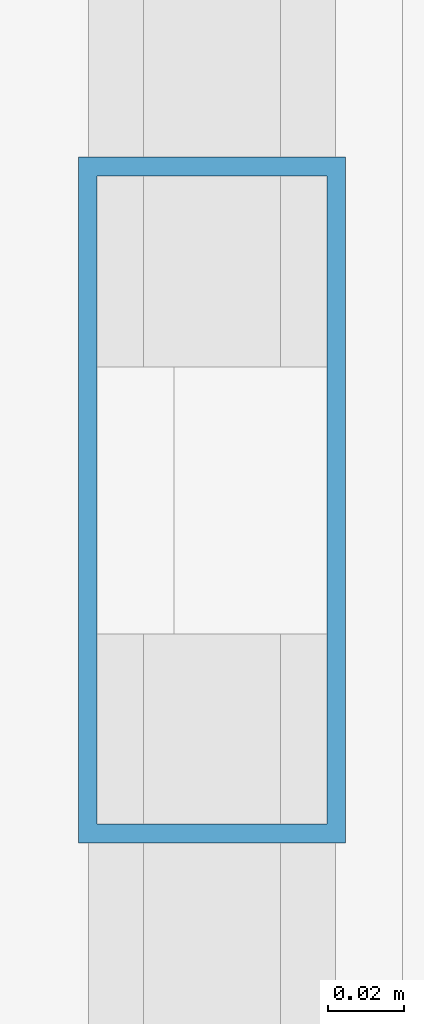
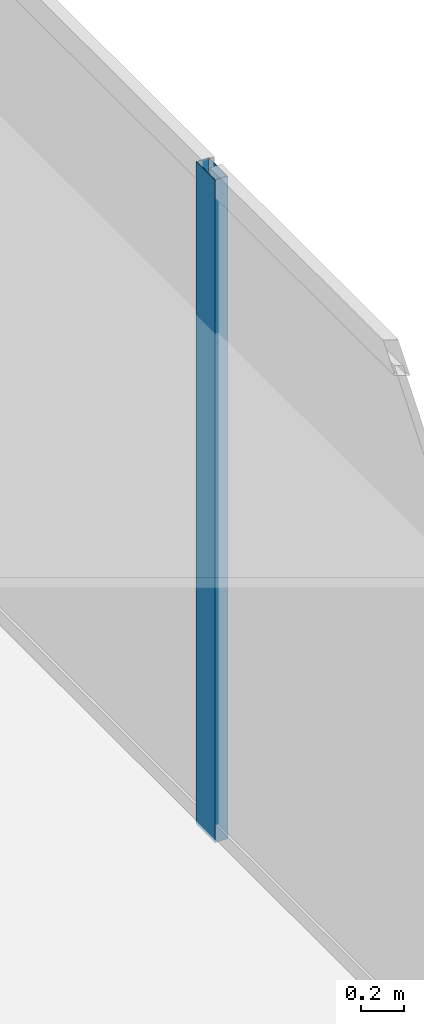
# One storey, part 24 of 35: 1 member, 1 element without a shape of its own.
"""IFC4 building model written with IfcOpenShell, lengths in metres."""

from ifc_helpers import new_model, si_unit, direction, frame, origin, origin_2d, place, context, subcontext, project, spatial, hollow_rectangle, extrude, source, transform, mapped, material, layer, layer_set, material_profile, profile_set, type_object, type_shapes, element, aggregate, save


model = new_model("IFC4")

# Units and contexts
model_context = context("Model", 3, precision=1e-05, world=origin(), true_north=direction((0.0, 1.0)))
body_context = subcontext(model_context, "Body", "Model", "MODEL_VIEW")
ifc_project = project(units=[si_unit("LENGTHUNIT", "METRE"), si_unit("AREAUNIT", "SQUARE_METRE"), si_unit("VOLUMEUNIT", "CUBIC_METRE"), si_unit("PLANEANGLEUNIT", "RADIAN"), si_unit("MASSUNIT", "GRAM", prefix="KILO")], contexts=[model_context])

# Site, building, storey
site_placement = place(None, origin())
site = spatial("IfcSite", under=ifc_project, at=site_placement, CompositionType="ELEMENT")
building_placement = place(site_placement, origin())
building = spatial("IfcBuilding", under=site, at=building_placement, Name="Haelvirn Gate Laboratories", CompositionType="ELEMENT")
storey_placement = place(building_placement, frame((0.0, 0.0, 283.39990234375)))
storey = spatial("IfcBuildingStorey", under=building, at=storey_placement, Name="L68", CompositionType="ELEMENT", Elevation=283.39990234375)

# Curtain wall, member
ifc_material_1 = material(Name="Anodised bronze unitised aluminium & triple low-E glass", Category="aluminium")
ifc_layer = layer(ifc_material_1, 0.176025390625, Name="CW-SYS-4")
ifc_layer_set = layer_set([ifc_layer], Name="Anodised bronze unitised aluminium & triple low-E glass")
curtain_wall_type = type_object("IfcCurtainWallType", Name="CW-SYS-4", PredefinedType="NOTDEFINED", material=ifc_layer_set)
curtain_wall_placement = place(storey_placement, origin())
curtain_wall = element("IfcCurtainWall", 1, at=curtain_wall_placement, inside=storey, type_object=curtain_wall_type, Name="L68 Unitised Curtain Wall CW-L68-P0-E07", PredefinedType="NOTDEFINED")
ifc_material_2 = material(Name="Extruded aluminium 6063-T6 (anodised bronze)", Category="aluminium")
ifc_material_profile = material_profile(ifc_material_2, hollow_rectangle(XDim=0.070068359375, YDim=0.179931640625, WallThickness=0.0048828125, at=origin_2d()), Name="CWM-180x70x5")
ifc_profile_set = profile_set([ifc_material_profile], Name="Extruded aluminium 6063-T6 (anodised bronze)")
member_type = type_object("IfcMemberType", Name="CWM-T180", PredefinedType="MULLION", material=ifc_profile_set)
shared_shape = source(origin(), body_context, "Body", "SweptSolid", [
    extrude(hollow_rectangle(XDim=0.070068359375, YDim=0.179931640625, WallThickness=0.0048828125, at=origin_2d()), origin(), (0.0, 0.0, 1.0), 3.800048828125),
])
type_shapes(member_type, [shared_shape])
member_placement = place(storey_placement, frame((70.699951171875, 24.300048828125, 0.0), z_axis=(0.0, 0.0, 1.0), x_axis=(-1.0, 0.0, 0.0)))
member = element("IfcMember", 2, at=member_placement, type_object=member_type, Name="CW4 mullion 2", PredefinedType="MULLION", context=body_context, shape_type="MappedRepresentation", body=[
    mapped(shared_shape, transform((0.0, 0.0, 0.0), scale=1.0)),
])
aggregate(curtain_wall, [member])

save(model, "model.ifc")
